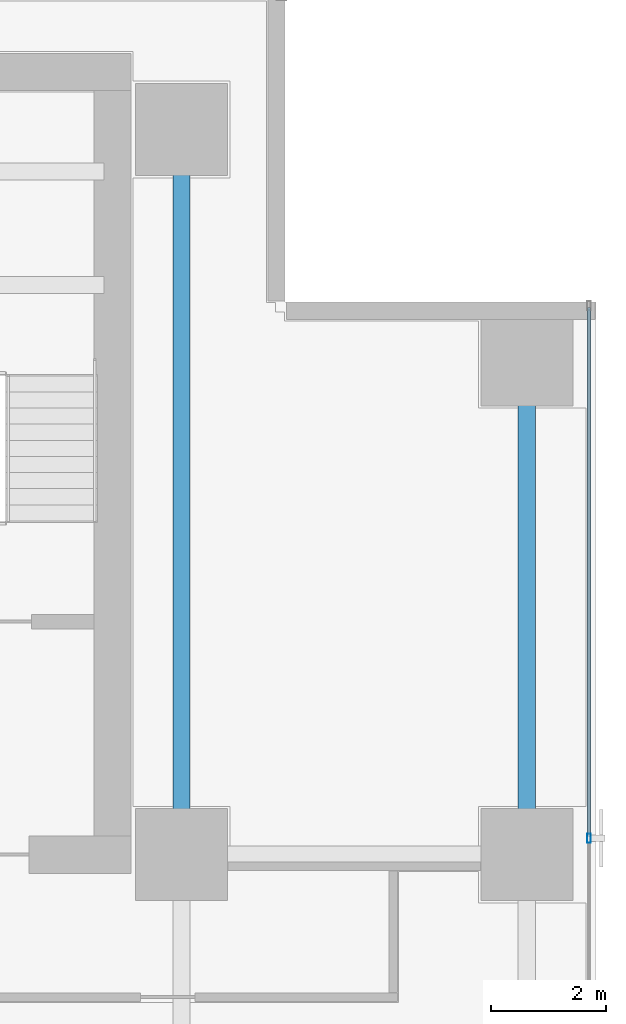
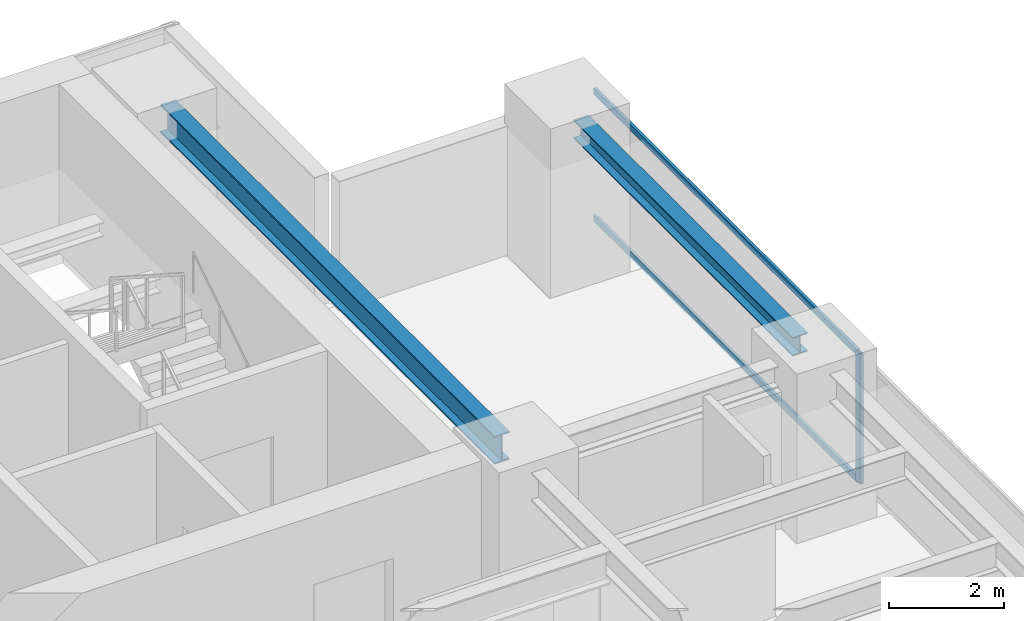
# One storey, part 18 of 28: 3 members, 2 beams, 1 element without a shape of its own.
"""IFC4 building model written with IfcOpenShell, lengths in metres."""

from ifc_helpers import new_model, si_unit, direction, frame, origin, origin_2d, place, context, subcontext, project, spatial, hollow_rectangle, i_section, extrude, source, transform, mapped, material, layer, layer_set, material_profile, profile_set, type_object, element, aggregate, save


model = new_model("IFC4")

# Units and contexts
model_context = context("Model", 3, precision=1e-05, world=origin(), true_north=direction((0.0, 1.0)))
body_context = subcontext(model_context, "Body", "Model", "MODEL_VIEW")
ifc_project = project(units=[si_unit("LENGTHUNIT", "METRE"), si_unit("AREAUNIT", "SQUARE_METRE"), si_unit("VOLUMEUNIT", "CUBIC_METRE"), si_unit("PLANEANGLEUNIT", "RADIAN"), si_unit("MASSUNIT", "GRAM", prefix="KILO")], contexts=[model_context])

# Site, building, storey
site_placement = place(None, origin())
site = spatial("IfcSite", under=ifc_project, at=site_placement, CompositionType="ELEMENT")
building_placement = place(site_placement, origin())
building = spatial("IfcBuilding", under=site, at=building_placement, Name="Sumidabori Civic Tower", CompositionType="ELEMENT")
storey_placement = place(building_placement, frame((0.0, 0.0, 153.199951171875)))
storey = spatial("IfcBuildingStorey", under=building, at=storey_placement, Name="L39", CompositionType="ELEMENT", Elevation=153.199951171875)

# Beams
ifc_material_1 = material(Name="Steel SN490", Category="steel")
ifc_material_profile_1 = material_profile(ifc_material_1, i_section(OverallWidth=0.300048828125, OverallDepth=0.39990234375, WebThickness=0.013427734375, FlangeThickness=0.02392578125, at=origin_2d()), Name="HE 400 B")
ifc_profile_set_1 = profile_set([ifc_material_profile_1], Name="Steel SN490")
beam_type_1 = type_object("IfcBeamType", Name="BM-GIRD-400", PredefinedType="BEAM", material=ifc_profile_set_1)
shared_shape_1 = source(origin(), body_context, "Body", "SweptSolid", [
    extrude(i_section(OverallWidth=0.300048828125, OverallDepth=0.39990234375, WebThickness=0.013427734375, FlangeThickness=0.02392578125, at=origin_2d()), origin(), (0.0, 0.0, 1.0), 7.64013671875),
])
beam_1_placement = place(storey_placement, frame((22.800048828125, 10.679931640625, 3.179931640625), z_axis=(0.0, 1.0, 0.0), x_axis=(-1.0, 0.0, 0.0)))
element("IfcBeam", 1, at=beam_1_placement, inside=storey, type_object=beam_type_1, Name="Primary Girder L39 GY-38", PredefinedType="BEAM", context=body_context, shape_type="MappedRepresentation", body=[
    mapped(shared_shape_1, transform((0.0, 0.0, 0.0), x_axis=(1.0, 0.0, 0.0), y_axis=(0.0, 1.0, 0.0), z_axis=(0.0, 0.0, 1.0), scale=1.0)),
])
ifc_material_profile_2 = material_profile(ifc_material_1, i_section(OverallWidth=0.300048828125, OverallDepth=0.60009765625, WebThickness=0.015380859375, FlangeThickness=0.030029296875, at=origin_2d()), Name="HE 600 B")
ifc_profile_set_2 = profile_set([ifc_material_profile_2], Name="Steel SN490")
beam_type_2 = type_object("IfcBeamType", Name="BM-GIRD-600", PredefinedType="BEAM", material=ifc_profile_set_2)
shared_shape_2 = source(origin(), body_context, "Body", "SweptSolid", [
    extrude(i_section(OverallWidth=0.300048828125, OverallDepth=0.60009765625, WebThickness=0.015380859375, FlangeThickness=0.030029296875, at=origin_2d()), origin(), (0.0, 0.0, 1.0), 11.64013671875),
])
beam_2_placement = place(storey_placement, frame((16.800048828125, 10.679931640625, 3.080078125), z_axis=(0.0, 1.0, 0.0), x_axis=(-1.0, 0.0, 0.0)))
element("IfcBeam", 2, at=beam_2_placement, inside=storey, type_object=beam_type_2, Name="Primary Girder L39 GY-35", PredefinedType="BEAM", context=body_context, shape_type="MappedRepresentation", body=[
    mapped(shared_shape_2, transform((0.0, 0.0, 0.0), x_axis=(1.0, 0.0, 0.0), y_axis=(0.0, 1.0, 0.0), z_axis=(0.0, 0.0, 1.0), scale=1.0)),
])

# Curtain wall, members
ifc_material_2 = material(Name="Anodised Bronze Aluminium AW-6063-T6", Category="aluminium")
ifc_layer = layer(ifc_material_2, 0.179931640625, Name="Anodised Bronze Aluminium AW-6063-T6")
ifc_layer_set = layer_set([ifc_layer], Name="Anodised Bronze Aluminium AW-6063-T6")
curtain_wall_type = type_object("IfcCurtainWallType", Name="CW-SYS-3", PredefinedType="NOTDEFINED", material=ifc_layer_set)
curtain_wall_placement = place(storey_placement, origin())
curtain_wall = element("IfcCurtainWall", 3, at=curtain_wall_placement, inside=storey, type_object=curtain_wall_type, Name="Curtain Wall CW:L39:R04", PredefinedType="NOTDEFINED")
ifc_material_profile_3 = material_profile(ifc_material_2, hollow_rectangle(XDim=0.06494140625, YDim=0.159912109375, WallThickness=0.0048828125, at=origin_2d()), Name="ALU MULLION 160x65")
ifc_profile_set_3 = profile_set([ifc_material_profile_3], Name="Anodised Bronze Aluminium AW-6063-T6")
member_type_1 = type_object("IfcMemberType", Name="CW-MUL-160", PredefinedType="MULLION", material=ifc_profile_set_3)
shared_shape_3 = source(origin(), body_context, "Body", "SweptSolid", [
    extrude(hollow_rectangle(XDim=0.06494140625, YDim=0.159912109375, WallThickness=0.0048828125, at=origin_2d()), origin(), (0.0, 0.0, 1.0), 2.760009765625),
])
member_1_placement = place(storey_placement, frame((23.8798828125, 10.485107421875, 0.0), z_axis=(0.0, 0.0, 1.0), x_axis=(-1.0, 0.0, 0.0)))
member_1 = element("IfcMember", 4, at=member_1_placement, type_object=member_type_1, Name="CW-3 mullion 4", PredefinedType="MULLION", context=body_context, shape_type="MappedRepresentation", body=[
    mapped(shared_shape_3, transform((0.0, 0.0, 0.0), x_axis=(1.0, 0.0, 0.0), y_axis=(0.0, 1.0, 0.0), z_axis=(0.0, 0.0, 1.0), scale=1.0)),
])
ifc_material_profile_4 = material_profile(ifc_material_2, hollow_rectangle(XDim=0.06005859375, YDim=0.1298828125, WallThickness=0.0048828125, at=origin_2d()), Name="ALU TRANSOM 130x60")
ifc_profile_set_4 = profile_set([ifc_material_profile_4], Name="Anodised Bronze Aluminium AW-6063-T6")
member_type_2 = type_object("IfcMemberType", Name="CW-TRN-130", PredefinedType="USERDEFINED", material=ifc_profile_set_4)
shared_shape_4 = source(origin(), body_context, "Body", "SweptSolid", [
    extrude(hollow_rectangle(XDim=0.06005859375, YDim=0.1298828125, WallThickness=0.0048828125, at=origin_2d()), origin(), (0.0, 0.0, 1.0), 9.1875),
])
member_2_placement = place(storey_placement, frame((23.8798828125, 10.517578125, 0.030029296875), z_axis=(0.0, 1.0, 0.0), x_axis=(-1.0, 0.0, 0.0)))
member_2 = element("IfcMember", 5, at=member_2_placement, type_object=member_type_2, Name="CW-3 transom 4.1", ObjectType="TRANSOM", PredefinedType="USERDEFINED", context=body_context, shape_type="MappedRepresentation", body=[
    mapped(shared_shape_4, transform((0.0, 0.0, 0.0), x_axis=(1.0, 0.0, 0.0), y_axis=(0.0, 1.0, 0.0), z_axis=(0.0, 0.0, 1.0), scale=1.0)),
])
member_3_placement = place(storey_placement, frame((23.8798828125, 10.517578125, 2.72998046875), z_axis=(0.0, 1.0, 0.0), x_axis=(-1.0, 0.0, 0.0)))
member_3 = element("IfcMember", 6, at=member_3_placement, type_object=member_type_2, Name="CW-3 transom 4.2", ObjectType="TRANSOM", PredefinedType="USERDEFINED", context=body_context, shape_type="MappedRepresentation", body=[
    mapped(shared_shape_4, transform((0.0, 0.0, 0.0), x_axis=(1.0, 0.0, 0.0), y_axis=(0.0, 1.0, 0.0), z_axis=(0.0, 0.0, 1.0), scale=1.0)),
])
aggregate(curtain_wall, [member_1, member_2, member_3])

save(model, "model.ifc")
